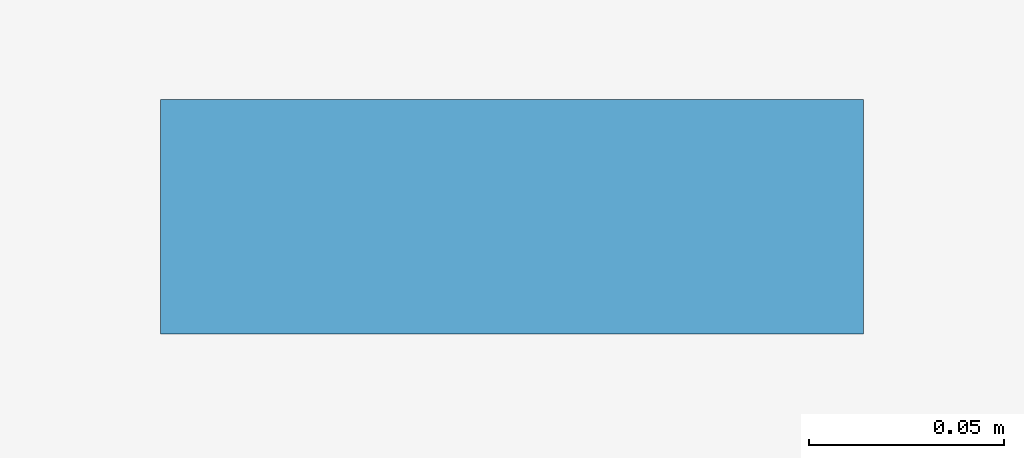
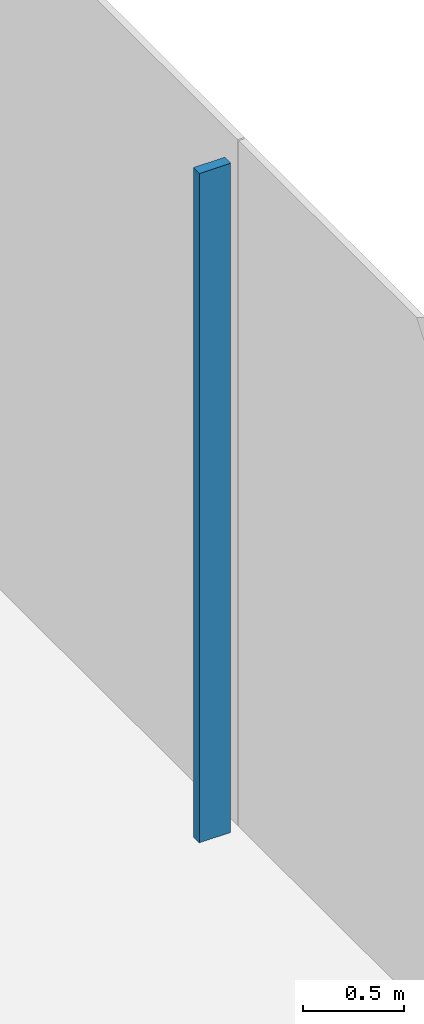
# One storey, part 9 of 22: 1 member, 1 element without a shape of its own.
"""IFC4 building model written with IfcOpenShell, lengths in metres."""

from ifc_helpers import new_model, si_unit, direction, frame, origin, origin_2d, place, context, subcontext, project, spatial, rectangle, extrude, material, layer, layer_set, material_profile, profile_set, type_object, element, aggregate, save


model = new_model("IFC4")

# Units and contexts
model_context = context("Model", 3, precision=1e-05, world=origin(), true_north=direction((0.0, 1.0)))
body_context = subcontext(model_context, "Body", "Model", "MODEL_VIEW")
ifc_project = project(units=[si_unit("LENGTHUNIT", "METRE"), si_unit("AREAUNIT", "SQUARE_METRE"), si_unit("VOLUMEUNIT", "CUBIC_METRE"), si_unit("PLANEANGLEUNIT", "RADIAN"), si_unit("MASSUNIT", "GRAM", prefix="KILO")], contexts=[model_context])

# Site, building, storey
site_placement = place(None, origin())
site = spatial("IfcSite", under=ifc_project, at=site_placement, CompositionType="ELEMENT")
building_placement = place(site_placement, origin())
building = spatial("IfcBuilding", under=site, at=building_placement, Name="Shamsa Quay Exchange Towers", CompositionType="ELEMENT")
storey_placement = place(building_placement, frame((0.0, 0.0, 33.0)))
storey = spatial("IfcBuildingStorey", under=building, at=storey_placement, Name="L06", CompositionType="ELEMENT", Elevation=33.0)

# Curtain wall, member
ifc_material = material(Name="Aluminium EN AW-6063 T6, black anodised", Category="aluminium")
ifc_layer = layer(ifc_material, 0.280029296875)
ifc_layer_set = layer_set([ifc_layer], Name="CW-1 UNITISED VISION GLASS")
curtain_wall_type = type_object("IfcCurtainWallType", Name="CW-1 UNITISED VISION GLASS", PredefinedType="NOTDEFINED", material=ifc_layer_set)
curtain_wall_placement = place(storey_placement, origin())
curtain_wall = element("IfcCurtainWall", 1, at=curtain_wall_placement, inside=storey, type_object=curtain_wall_type, Name="CW1 T2-END-V- L06", PredefinedType="NOTDEFINED")
ifc_material_profile = material_profile(ifc_material, rectangle(XDim=0.179931640625, YDim=0.06005859375, at=origin_2d()), Name="MU60x180")
ifc_profile_set = profile_set([ifc_material_profile], Name="Aluminium EN AW-6063 T6, black anodised")
member_type = type_object("IfcMemberType", Name="CW1 MULLION 60x180", PredefinedType="MULLION", material=ifc_profile_set)
member_placement = place(storey_placement, frame((62.85009765625, 2.25, 0.0), z_axis=(0.0, 0.0, 1.0), x_axis=(-1.0, 0.0, 0.0)))
member = element("IfcMember", 2, at=member_placement, type_object=member_type, Name="CW1 mullion", PredefinedType="MULLION", context=body_context, shape_type="SweptSolid", body=[
    extrude(rectangle(XDim=0.179931640625, YDim=0.06005859375, at=origin_2d()), origin(), (0.0, 0.0, 1.0), 4.050048828125),
])
aggregate(curtain_wall, [member])

save(model, "model.ifc")
